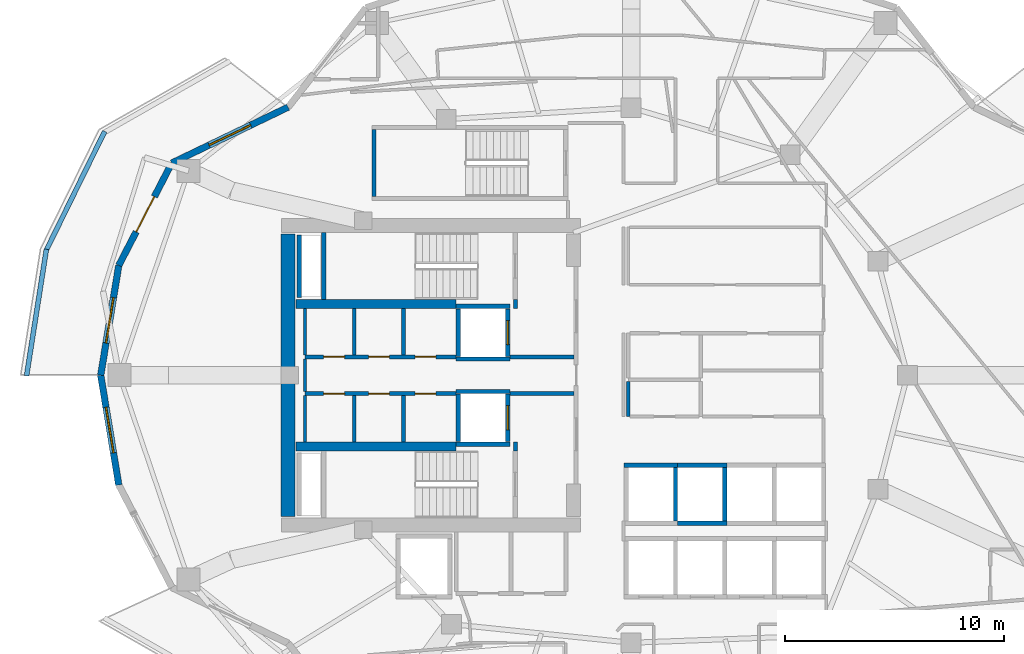
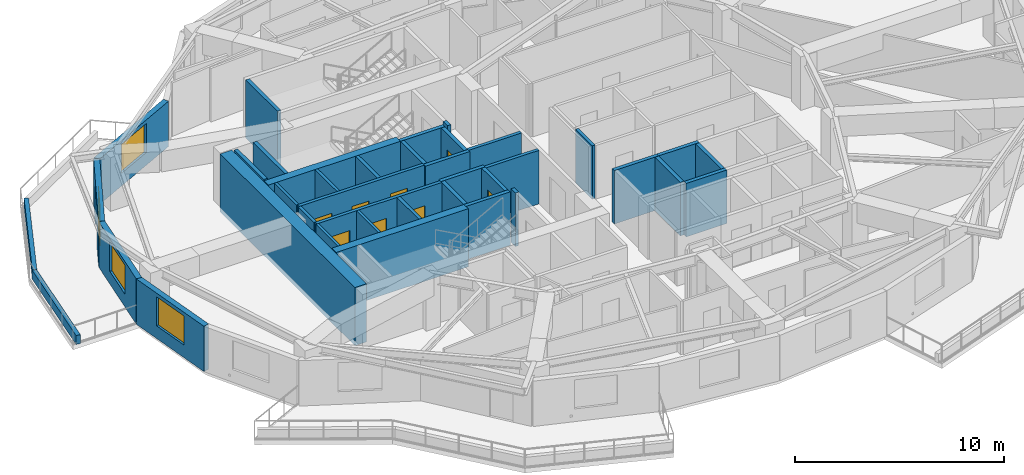
# One storey, part 4 of 12: 39 walls, 9 doors, 3 windows, 12 openings.
"""IFC4 building model written with IfcOpenShell, lengths in metres."""

from ifc_helpers import new_model, si_unit, direction, frame, frame_2d, origin, place, context, subcontext, project, spatial, rectangle, extrude, material, layer, layer_set, type_object, element, fill, save


model = new_model("IFC4")

# Units and contexts
model_context = context("Model", 3, precision=1e-05, world=origin(), true_north=direction((0.0, 1.0)))
body_context = subcontext(model_context, "Body", "Model", "MODEL_VIEW")
ifc_project = project(units=[si_unit("LENGTHUNIT", "METRE"), si_unit("AREAUNIT", "SQUARE_METRE"), si_unit("VOLUMEUNIT", "CUBIC_METRE"), si_unit("PLANEANGLEUNIT", "RADIAN"), si_unit("MASSUNIT", "GRAM", prefix="KILO")], contexts=[model_context])

# Site, building, storey
site_placement = place(None, origin())
site = spatial("IfcSite", under=ifc_project, at=site_placement, CompositionType="ELEMENT")
building_placement = place(site_placement, origin())
building = spatial("IfcBuilding", under=site, at=building_placement, Name="Kolvaren Gate Tower and Convention Centre", CompositionType="ELEMENT")
storey_placement = place(building_placement, frame((0.0, 0.0, 139.300048828125)))
storey = spatial("IfcBuildingStorey", under=building, at=storey_placement, Name="L35", CompositionType="ELEMENT", Elevation=139.300048828125)

# Walls
ifc_material_1 = material(Name="Autoclaved Aerated Masonry Blockwork Class 4 (4.0 MPa)", Category="masonry")
ifc_layer_1 = layer(ifc_material_1, 0.179931640625)
ifc_layer_set_1 = layer_set([ifc_layer_1], Name="Autoclaved Aerated Masonry Blockwork Class 4 (4.0 MPa)")
wall_type_1 = type_object("IfcWallType", Name="ARCH-WL-COMP-180", PredefinedType="SOLIDWALL", material=ifc_layer_set_1)
for number, where, z_axis, x_axis, name in (
    (1, (24.85009765625, 23.5400390625, 0.0), (0.0, 0.0, 1.0), (0.0, 1.0, 0.0), "Interior Partition WL-L35-INT-001"),
    (2, (24.85009765625, 30.0400390625, 0.0), (0.0, 0.0, 1.0), (0.0, 1.0, 0.0), "Interior Partition WL-L35-INT-002"),
):
    element("IfcWall", number, at=place(storey_placement, frame(where, z_axis=z_axis, x_axis=x_axis)), inside=storey, type_object=wall_type_1, Name=name, PredefinedType="SOLIDWALL", context=body_context, shape_type="SweptSolid", body=[
        extrude(rectangle(XDim=0.419921875, YDim=0.179931640625, at=frame_2d((0.2099609375, 0.0))), origin(), (0.0, 0.0, 1.0), 3.1298828125),
    ])

# Wall, openings, doors
wall_1_placement = place(storey_placement, frame((15.25, 27.840087890625, 0.0), z_axis=(0.0, 0.0, 1.0), x_axis=(1.0, 0.0, 0.0)))
wall_1 = element("IfcWall", 3, at=wall_1_placement, inside=storey, type_object=wall_type_1, Name="Interior Partition WL-L35-INT-004", PredefinedType="SOLIDWALL", context=body_context, shape_type="SweptSolid", body=[
    extrude(rectangle(XDim=6.89990234375, YDim=0.179931640625, at=frame_2d((3.449951171875, 0.0))), origin(), (0.0, 0.0, 1.0), 3.1298828125),
])
opening_1_placement = place(wall_1_placement, frame((5.02001953125, 0.0, 0.0)))
opening_1 = element("IfcOpeningElement", 4, at=opening_1_placement, cuts=wall_1, Name="Opening DR-01", PredefinedType="OPENING", context=body_context, shape_type="SweptSolid", body=[
    extrude(rectangle(XDim=0.949951171875, YDim=2.10009765625, at=frame_2d((0.47509765625, 1.050048828125))), frame((0.0, 0.099853515625, 0.0), z_axis=(0.0, -1.0, 0.0), x_axis=(1.0, 0.0, 0.0)), (0.0, 0.0, 1.0), 0.199951171875),
])
opening_2_placement = place(wall_1_placement, frame((0.85498046875, 0.0, 0.0)))
opening_2 = element("IfcOpeningElement", 5, at=opening_2_placement, cuts=wall_1, Name="Opening DR-01", PredefinedType="OPENING", context=body_context, shape_type="SweptSolid", body=[
    extrude(rectangle(XDim=0.949951171875, YDim=2.10009765625, at=frame_2d((0.47509765625, 1.050048828125))), frame((0.0, 0.099853515625, 0.0), z_axis=(0.0, -1.0, 0.0), x_axis=(1.0, 0.0, 0.0)), (0.0, 0.0, 1.0), 0.199951171875),
])
opening_3_placement = place(wall_1_placement, frame((2.89990234375, 0.0, 0.0)))
opening_3 = element("IfcOpeningElement", 6, at=opening_3_placement, cuts=wall_1, Name="Opening DR-01", PredefinedType="OPENING", context=body_context, shape_type="SweptSolid", body=[
    extrude(rectangle(XDim=0.949951171875, YDim=2.10009765625, at=frame_2d((0.47509765625, 1.050048828125))), frame((0.0, 0.099853515625, 0.0), z_axis=(0.0, -1.0, 0.0), x_axis=(1.0, 0.0, 0.0)), (0.0, 0.0, 1.0), 0.199951171875),
])
ifc_material_2 = material(Name="Painted Architectural Steelwork ASTM A500 Grade C 345 MPa", Category="steel")
door_type_1 = type_object("IfcDoorType", Name="ARCH-DR-RISER-950", OperationType="SINGLE_SWING_RIGHT", PredefinedType="DOOR", material=ifc_material_2)
door_1_placement = place(opening_1_placement, origin())
door_1 = element("IfcDoor", 7, at=door_1_placement, inside=storey, type_object=door_type_1, Name="Electrical Switchgear Closet Door", OperationType="SINGLE_SWING_LEFT", OverallHeight=2.10009765625, OverallWidth=0.949951171875, PredefinedType="DOOR", context=body_context, shape_type="SweptSolid", body=[
    extrude(rectangle(XDim=0.949951171875, YDim=2.10009765625, at=frame_2d((0.47509765625, 1.050048828125))), frame((0.0, 0.02490234375, 0.0), z_axis=(0.0, -1.0, 0.0), x_axis=(1.0, 0.0, 0.0)), (0.0, 0.0, 1.0), 0.050048828125),
])
fill(opening_1, door_1)
door_2_placement = place(opening_2_placement, origin())
door_2 = element("IfcDoor", 8, at=door_2_placement, inside=storey, type_object=door_type_1, Name="Staff Accessible WC Door", OperationType="SINGLE_SWING_LEFT", OverallHeight=2.10009765625, OverallWidth=0.949951171875, PredefinedType="DOOR", context=body_context, shape_type="SweptSolid", body=[
    extrude(rectangle(XDim=0.949951171875, YDim=2.10009765625, at=frame_2d((0.47509765625, 1.050048828125))), frame((0.0, 0.02490234375, 0.0), z_axis=(0.0, -1.0, 0.0), x_axis=(1.0, 0.0, 0.0)), (0.0, 0.0, 1.0), 0.050048828125),
])
fill(opening_2, door_2)
door_3_placement = place(opening_3_placement, origin())
door_3 = element("IfcDoor", 9, at=door_3_placement, inside=storey, type_object=door_type_1, Name="Housekeeping Sink Closet Door", OperationType="SINGLE_SWING_RIGHT", OverallHeight=2.10009765625, OverallWidth=0.949951171875, PredefinedType="DOOR", context=body_context, shape_type="SweptSolid", body=[
    extrude(rectangle(XDim=0.949951171875, YDim=2.10009765625, at=frame_2d((0.47509765625, 1.050048828125))), frame((0.0, 0.02490234375, 0.0), z_axis=(0.0, -1.0, 0.0), x_axis=(1.0, 0.0, 0.0)), (0.0, 0.0, 1.0), 0.050048828125),
])
fill(opening_3, door_3)

# Wall
wall_2_placement = place(storey_placement, frame((24.60009765625, 27.840087890625, 0.0), z_axis=(0.0, 0.0, 1.0), x_axis=(1.0, 0.0, 0.0)))
element("IfcWall", 10, at=wall_2_placement, inside=storey, type_object=wall_type_1, Name="Interior Partition WL-L35-INT-004 (2)", PredefinedType="SOLIDWALL", context=body_context, shape_type="SweptSolid", body=[
    extrude(rectangle(XDim=2.927978515625, YDim=0.179931640625, at=frame_2d((1.4638671875, 0.0))), origin(), (0.0, 0.0, 1.0), 3.1298828125),
])

# Wall, openings, doors
wall_3_placement = place(storey_placement, frame((15.25, 26.159912109375, 0.0), z_axis=(0.0, 0.0, 1.0), x_axis=(1.0, 0.0, 0.0)))
wall_3 = element("IfcWall", 11, at=wall_3_placement, inside=storey, type_object=wall_type_1, Name="Interior Partition WL-L35-INT-005", PredefinedType="SOLIDWALL", context=body_context, shape_type="SweptSolid", body=[
    extrude(rectangle(XDim=6.89990234375, YDim=0.179931640625, at=frame_2d((3.449951171875, 0.0))), origin(), (0.0, 0.0, 1.0), 3.1298828125),
])
opening_4_placement = place(wall_3_placement, frame((5.02001953125, 0.0, 0.0)))
opening_4 = element("IfcOpeningElement", 12, at=opening_4_placement, cuts=wall_3, Name="Opening DR-01", PredefinedType="OPENING", context=body_context, shape_type="SweptSolid", body=[
    extrude(rectangle(XDim=0.949951171875, YDim=2.10009765625, at=frame_2d((0.47509765625, 1.050048828125))), frame((0.0, 0.099853515625, 0.0), z_axis=(0.0, -1.0, 0.0), x_axis=(1.0, 0.0, 0.0)), (0.0, 0.0, 1.0), 0.199951171875),
])
opening_5_placement = place(wall_3_placement, frame((0.85498046875, 0.0, 0.0)))
opening_5 = element("IfcOpeningElement", 13, at=opening_5_placement, cuts=wall_3, Name="Opening DR-01", PredefinedType="OPENING", context=body_context, shape_type="SweptSolid", body=[
    extrude(rectangle(XDim=0.949951171875, YDim=2.10009765625, at=frame_2d((0.47509765625, 1.050048828125))), frame((0.0, 0.099853515625, 0.0), z_axis=(0.0, -1.0, 0.0), x_axis=(1.0, 0.0, 0.0)), (0.0, 0.0, 1.0), 0.199951171875),
])
opening_6_placement = place(wall_3_placement, frame((2.89990234375, 0.0, 0.0)))
opening_6 = element("IfcOpeningElement", 14, at=opening_6_placement, cuts=wall_3, Name="Opening DR-01", PredefinedType="OPENING", context=body_context, shape_type="SweptSolid", body=[
    extrude(rectangle(XDim=0.949951171875, YDim=2.10009765625, at=frame_2d((0.47509765625, 1.050048828125))), frame((0.0, 0.099853515625, 0.0), z_axis=(0.0, -1.0, 0.0), x_axis=(1.0, 0.0, 0.0)), (0.0, 0.0, 1.0), 0.199951171875),
])
door_4_placement = place(opening_4_placement, origin())
door_4 = element("IfcDoor", 15, at=door_4_placement, inside=storey, type_object=door_type_1, Name="Domestic Water Meter Closet Door", OperationType="SINGLE_SWING_RIGHT", OverallHeight=2.10009765625, OverallWidth=0.949951171875, PredefinedType="DOOR", context=body_context, shape_type="SweptSolid", body=[
    extrude(rectangle(XDim=0.949951171875, YDim=2.10009765625, at=frame_2d((0.47509765625, 1.050048828125))), frame((0.0, 0.02490234375, 0.0), z_axis=(0.0, -1.0, 0.0), x_axis=(1.0, 0.0, 0.0)), (0.0, 0.0, 1.0), 0.050048828125),
])
fill(opening_4, door_4)
door_5_placement = place(opening_5_placement, origin())
door_5 = element("IfcDoor", 16, at=door_5_placement, inside=storey, type_object=door_type_1, Name="Beverage Service Pantry Door", OperationType="SINGLE_SWING_LEFT", OverallHeight=2.10009765625, OverallWidth=0.949951171875, PredefinedType="DOOR", context=body_context, shape_type="SweptSolid", body=[
    extrude(rectangle(XDim=0.949951171875, YDim=2.10009765625, at=frame_2d((0.47509765625, 1.050048828125))), frame((0.0, 0.02490234375, 0.0), z_axis=(0.0, -1.0, 0.0), x_axis=(1.0, 0.0, 0.0)), (0.0, 0.0, 1.0), 0.050048828125),
])
fill(opening_5, door_5)
door_6_placement = place(opening_6_placement, origin())
door_6 = element("IfcDoor", 17, at=door_6_placement, inside=storey, type_object=door_type_1, Name="Archive Supply Closet Door", OperationType="SINGLE_SWING_RIGHT", OverallHeight=2.10009765625, OverallWidth=0.949951171875, PredefinedType="DOOR", context=body_context, shape_type="SweptSolid", body=[
    extrude(rectangle(XDim=0.949951171875, YDim=2.10009765625, at=frame_2d((0.47509765625, 1.050048828125))), frame((0.0, 0.02490234375, 0.0), z_axis=(0.0, -1.0, 0.0), x_axis=(1.0, 0.0, 0.0)), (0.0, 0.0, 1.0), 0.050048828125),
])
fill(opening_6, door_6)

# Walls
wall_4_placement = place(storey_placement, frame((24.60009765625, 26.159912109375, 0.0), z_axis=(0.0, 0.0, 1.0), x_axis=(1.0, 0.0, 0.0)))
element("IfcWall", 18, at=wall_4_placement, inside=storey, type_object=wall_type_1, Name="Interior Partition WL-L35-INT-005 (2)", PredefinedType="SOLIDWALL", context=body_context, shape_type="SweptSolid", body=[
    extrude(rectangle(XDim=2.927978515625, YDim=0.179931640625, at=frame_2d((1.4638671875, 0.0))), origin(), (0.0, 0.0, 1.0), 3.1298828125),
])
for number, where, z_axis, x_axis, name in (
    (19, (19.75, 23.9619140625, 0.0), (0.0, 0.0, 1.0), (0.0, 1.0, 0.0), "Interior Partition WL-L35-INT-007"),
    (20, (19.75, 27.931884765625, 0.0), (0.0, 0.0, 1.0), (0.0, 1.0, 0.0), "Interior Partition WL-L35-INT-008"),
):
    element("IfcWall", number, at=place(storey_placement, frame(where, z_axis=z_axis, x_axis=x_axis)), inside=storey, type_object=wall_type_1, Name=name, PredefinedType="SOLIDWALL", context=body_context, shape_type="SweptSolid", body=[
        extrude(rectangle(XDim=2.106201171875, YDim=0.179931640625, at=frame_2d((1.05322265625, 0.0))), origin(), (0.0, 0.0, 1.0), 3.1298828125),
    ])
ifc_material_3 = material(Name="Piedmont Cream Honed Limestone Cladding", Category="masonry")
ifc_layer_2 = layer(ifc_material_3, 0.219970703125)
ifc_layer_set_2 = layer_set([ifc_layer_2], Name="Piedmont Cream Honed Limestone Cladding")
wall_type_2 = type_object("IfcWallType", Name="ARCH-WL-PLANTER-220", PredefinedType="PARAPET", material=ifc_layer_set_2)
wall_5_placement = place(storey_placement, frame((3.44873046875, 32.68701171875, 0.0), z_axis=(0.0, 0.0, 1.0), x_axis=(0.441269631716, 0.897374566235, 0.0)))
element("IfcWall", 21, at=wall_5_placement, inside=storey, type_object=wall_type_2, Name="Vertical-Forest Balcony Stone Planter Kerb PK-L35-2.2", PredefinedType="PARAPET", context=body_context, shape_type="SweptSolid", body=[
    extrude(rectangle(XDim=6.05615234375, YDim=0.219970703125, at=frame_2d((3.028076171875, 0.0))), origin(), (0.0, 0.0, 1.0), 0.52001953125),
])
wall_6_placement = place(storey_placement, frame((2.555908203125, 26.970703125, 0.0), z_axis=(0.0, 0.0, 1.0), x_axis=(0.154903030247, 0.987929679289, 0.0)))
element("IfcWall", 22, at=wall_6_placement, inside=storey, type_object=wall_type_2, Name="Vertical-Forest Balcony Stone Planter Kerb PK-L35-2.3", PredefinedType="PARAPET", context=body_context, shape_type="SweptSolid", body=[
    extrude(rectangle(XDim=5.845703125, YDim=0.219970703125, at=frame_2d((2.9228515625, 0.0))), origin(), (0.0, 0.0, 1.0), 0.52001953125),
])
ifc_layer_3 = layer(ifc_material_1, 0.199951171875)
ifc_layer_set_3 = layer_set([ifc_layer_3], Name="Autoclaved Aerated Masonry Blockwork Class 4 (4.0 MPa)")
wall_type_3 = type_object("IfcWallType", Name="ARCH-WL-SHAFT-200", PredefinedType="SOLIDWALL", material=ifc_layer_set_3)
for number, where, z_axis, x_axis, name in (
    (23, (22.14990234375, 30.139892578125, 0.0), (0.0, 0.0, 1.0), (1.0, 0.0, 0.0), "Elevator FF-01 L35 Fire Shaft Wall N"),
    (24, (22.14990234375, 27.739990234375, 0.0), (0.0, 0.0, 1.0), (1.0, 0.0, 0.0), "Elevator FF-01 L35 Fire Shaft Wall S"),
):
    element("IfcWall", number, at=place(storey_placement, frame(where, z_axis=z_axis, x_axis=x_axis)), inside=storey, type_object=wall_type_3, Name=name, PredefinedType="SOLIDWALL", context=body_context, shape_type="SweptSolid", body=[
        extrude(rectangle(XDim=2.4501953125, YDim=0.199951171875, at=frame_2d((1.22509765625, 0.0))), origin(), (0.0, 0.0, 1.0), 3.1298828125),
    ])
wall_7_placement = place(storey_placement, frame((22.25, 27.85009765625, 0.0), z_axis=(0.0, 0.0, 1.0), x_axis=(0.0, 1.0, 0.0)))
element("IfcWall", 25, at=wall_7_placement, inside=storey, type_object=wall_type_3, Name="Elevator FF-01 L35 Fire Shaft Wall W", PredefinedType="SOLIDWALL", context=body_context, shape_type="SweptSolid", body=[
    extrude(rectangle(XDim=2.179931640625, YDim=0.199951171875, at=frame_2d((1.08984375, 0.0))), origin(), (0.0, 0.0, 1.0), 3.1298828125),
])

# Wall, opening, door
wall_8_placement = place(storey_placement, frame((24.5, 27.85009765625, 0.0), z_axis=(0.0, 0.0, 1.0), x_axis=(0.0, 1.0, 0.0)))
wall_8 = element("IfcWall", 26, at=wall_8_placement, inside=storey, type_object=wall_type_3, Name="Elevator FF-01 L35 Fire Shaft Wall E", PredefinedType="SOLIDWALL", context=body_context, shape_type="SweptSolid", body=[
    extrude(rectangle(XDim=2.179931640625, YDim=0.199951171875, at=frame_2d((1.08984375, 0.0))), origin(), (0.0, 0.0, 1.0), 3.1298828125),
])
opening_7_placement = place(wall_8_placement, frame((0.5400390625, 0.0, 0.0)))
opening_7 = element("IfcOpeningElement", 27, at=opening_7_placement, cuts=wall_8, Name="Opening LD", PredefinedType="OPENING", context=body_context, shape_type="SweptSolid", body=[
    extrude(rectangle(XDim=1.10009765625, YDim=2.199951171875, at=frame_2d((0.550048828125, 1.10009765625))), frame((0.0, 0.10986328125, 0.0), z_axis=(0.0, -1.0, 0.0), x_axis=(1.0, 0.0, 0.0)), (0.0, 0.0, 1.0), 0.219970703125),
])
ifc_material_4 = material(Name="Brushed Stainless Steel Grade 316L", Category="steel")
door_type_2 = type_object("IfcDoorType", Name="ARCH-DR-LIFT-1100", OperationType="SLIDING_TO_LEFT", PredefinedType="DOOR", material=ifc_material_4)
door_7_placement = place(opening_7_placement, origin())
door_7 = element("IfcDoor", 28, at=door_7_placement, inside=storey, type_object=door_type_2, Name="Elevator FF-01 L35 Sliding Landing Door", OperationType="SLIDING_TO_LEFT", OverallHeight=2.199951171875, OverallWidth=1.10009765625, PredefinedType="DOOR", context=body_context, shape_type="SweptSolid", body=[
    extrude(rectangle(XDim=1.10009765625, YDim=2.199951171875, at=frame_2d((0.550048828125, 1.10009765625))), frame((0.0, 0.02490234375, 0.0), z_axis=(0.0, -1.0, 0.0), x_axis=(1.0, 0.0, 0.0)), (0.0, 0.0, 1.0), 0.050048828125),
])
fill(opening_7, door_7)

# Walls
for number, where, z_axis, x_axis, name in (
    (29, (22.14990234375, 26.260009765625, 0.0), (0.0, 0.0, 1.0), (1.0, 0.0, 0.0), "Elevator FF-02 L35 Fire Shaft Wall N"),
    (30, (22.14990234375, 23.860107421875, 0.0), (0.0, 0.0, 1.0), (1.0, 0.0, 0.0), "Elevator FF-02 L35 Fire Shaft Wall S"),
):
    element("IfcWall", number, at=place(storey_placement, frame(where, z_axis=z_axis, x_axis=x_axis)), inside=storey, type_object=wall_type_3, Name=name, PredefinedType="SOLIDWALL", context=body_context, shape_type="SweptSolid", body=[
        extrude(rectangle(XDim=2.4501953125, YDim=0.199951171875, at=frame_2d((1.22509765625, 0.0))), origin(), (0.0, 0.0, 1.0), 3.1298828125),
    ])
wall_9_placement = place(storey_placement, frame((22.25, 23.969970703125, 0.0), z_axis=(0.0, 0.0, 1.0), x_axis=(0.0, 1.0, 0.0)))
element("IfcWall", 31, at=wall_9_placement, inside=storey, type_object=wall_type_3, Name="Elevator FF-02 L35 Fire Shaft Wall W", PredefinedType="SOLIDWALL", context=body_context, shape_type="SweptSolid", body=[
    extrude(rectangle(XDim=2.179931640625, YDim=0.199951171875, at=frame_2d((1.08984375, 0.0))), origin(), (0.0, 0.0, 1.0), 3.1298828125),
])

# Wall, opening, door
wall_10_placement = place(storey_placement, frame((24.5, 23.969970703125, 0.0), z_axis=(0.0, 0.0, 1.0), x_axis=(0.0, 1.0, 0.0)))
wall_10 = element("IfcWall", 32, at=wall_10_placement, inside=storey, type_object=wall_type_3, Name="Elevator FF-02 L35 Fire Shaft Wall E", PredefinedType="SOLIDWALL", context=body_context, shape_type="SweptSolid", body=[
    extrude(rectangle(XDim=2.179931640625, YDim=0.199951171875, at=frame_2d((1.08984375, 0.0))), origin(), (0.0, 0.0, 1.0), 3.1298828125),
])
opening_8_placement = place(wall_10_placement, frame((0.5400390625, 0.0, 0.0)))
opening_8 = element("IfcOpeningElement", 33, at=opening_8_placement, cuts=wall_10, Name="Opening LD", PredefinedType="OPENING", context=body_context, shape_type="SweptSolid", body=[
    extrude(rectangle(XDim=1.10009765625, YDim=2.199951171875, at=frame_2d((0.550048828125, 1.10009765625))), frame((0.0, 0.10986328125, 0.0), z_axis=(0.0, -1.0, 0.0), x_axis=(1.0, 0.0, 0.0)), (0.0, 0.0, 1.0), 0.219970703125),
])
door_8_placement = place(opening_8_placement, origin())
door_8 = element("IfcDoor", 34, at=door_8_placement, inside=storey, type_object=door_type_2, Name="Elevator FF-02 L35 Sliding Landing Door", OperationType="SLIDING_TO_LEFT", OverallHeight=2.199951171875, OverallWidth=1.10009765625, PredefinedType="DOOR", context=body_context, shape_type="SweptSolid", body=[
    extrude(rectangle(XDim=1.10009765625, YDim=2.199951171875, at=frame_2d((0.550048828125, 1.10009765625))), frame((0.0, 0.02490234375, 0.0), z_axis=(0.0, -1.0, 0.0), x_axis=(1.0, 0.0, 0.0)), (0.0, 0.0, 1.0), 0.050048828125),
])
fill(opening_8, door_8)

# Walls
wall_11_placement = place(storey_placement, frame((29.800048828125, 22.89990234375, 0.0), z_axis=(0.0, 0.0, 1.0), x_axis=(1.0, 0.0, 0.0)))
element("IfcWall", 35, at=wall_11_placement, inside=storey, type_object=wall_type_3, Name="Elevator PL-09 L35 Fire Shaft Wall N", PredefinedType="SOLIDWALL", context=body_context, shape_type="SweptSolid", body=[
    extrude(rectangle(XDim=2.449951171875, YDim=0.199951171875, at=frame_2d((1.22509765625, 0.0))), origin(), (0.0, 0.0, 1.0), 3.1298828125),
])
wall_12_placement = place(storey_placement, frame((32.14990234375, 20.360107421875, 0.0), z_axis=(0.0, 0.0, 1.0), x_axis=(0.0, 1.0, 0.0)))
element("IfcWall", 36, at=wall_12_placement, inside=storey, type_object=wall_type_3, Name="Elevator PL-09 L35 Fire Shaft Wall E", PredefinedType="SOLIDWALL", context=body_context, shape_type="SweptSolid", body=[
    extrude(rectangle(XDim=2.429931640625, YDim=0.199951171875, at=frame_2d((1.21484375, 0.0))), origin(), (0.0, 0.0, 1.0), 3.1298828125),
])
for number, where, z_axis, x_axis, name in (
    (37, (32.25, 22.89990234375, 0.0), (0.0, 0.0, 1.0), (1.0, 0.0, 0.0), "Elevator PL-10 L35 Fire Shaft Wall N"),
    (38, (32.25, 20.25, 0.0), (0.0, 0.0, 1.0), (1.0, 0.0, 0.0), "Elevator PL-10 L35 Fire Shaft Wall S"),
):
    element("IfcWall", number, at=place(storey_placement, frame(where, z_axis=z_axis, x_axis=x_axis)), inside=storey, type_object=wall_type_3, Name=name, PredefinedType="SOLIDWALL", context=body_context, shape_type="SweptSolid", body=[
        extrude(rectangle(XDim=2.25, YDim=0.199951171875, at=frame_2d((1.125, 0.0))), origin(), (0.0, 0.0, 1.0), 3.1298828125),
    ])
wall_13_placement = place(storey_placement, frame((34.39990234375, 20.360107421875, 0.0), z_axis=(0.0, 0.0, 1.0), x_axis=(0.0, 1.0, 0.0)))
element("IfcWall", 39, at=wall_13_placement, inside=storey, type_object=wall_type_3, Name="Elevator PL-10 L35 Fire Shaft Wall E", PredefinedType="SOLIDWALL", context=body_context, shape_type="SweptSolid", body=[
    extrude(rectangle(XDim=2.429931640625, YDim=0.199951171875, at=frame_2d((1.21484375, 0.0))), origin(), (0.0, 0.0, 1.0), 3.1298828125),
])
wall_14_placement = place(storey_placement, frame((14.989990234375, 30.550048828125, 0.0), z_axis=(0.0, 0.0, 1.0), x_axis=(0.0, 1.0, 0.0)))
element("IfcWall", 40, at=wall_14_placement, inside=storey, type_object=wall_type_3, Name="Vertical Shaft HVR L35 EI-120 Enclosure Wall W", PredefinedType="SOLIDWALL", context=body_context, shape_type="SweptSolid", body=[
    extrude(rectangle(XDim=2.849853515625, YDim=0.199951171875, at=frame_2d((1.4248046875, 0.0))), origin(), (0.0, 0.0, 1.0), 3.1298828125),
])

# Wall, opening, window
ifc_layer_4 = layer(ifc_material_3, 0.300048828125)
ifc_layer_set_4 = layer_set([ifc_layer_4], Name="Piedmont Cream Honed Limestone Cladding")
wall_type_4 = type_object("IfcWallType", Name="ARCH-WL-STONE-300", PredefinedType="SOLIDWALL", material=ifc_layer_set_4)
wall_15_placement = place(storey_placement, frame((9.177978515625, 36.675048828125, 0.0), z_axis=(0.0, 0.0, 1.0), x_axis=(0.901370184739, 0.433049408339, 0.0)))
wall_15 = element("IfcWall", 41, at=wall_15_placement, inside=storey, type_object=wall_type_4, Name="Tower L35 Honed Stone Spandrel Wall EW-09", PredefinedType="SOLIDWALL", context=body_context, shape_type="SweptSolid", body=[
    extrude(rectangle(XDim=5.883544921875, YDim=0.300048828125, at=frame_2d((2.94189453125, 0.0))), origin(), (0.0, 0.0, 1.0), 2.65283203125),
])
opening_9_placement = place(wall_15_placement, frame((1.89208984375, 0.0, 0.739990234375)))
opening_9 = element("IfcOpeningElement", 42, at=opening_9_placement, cuts=wall_15, Name="Opening W-02", PredefinedType="OPENING", context=body_context, shape_type="SweptSolid", body=[
    extrude(rectangle(XDim=2.10009765625, YDim=1.699951171875, at=frame_2d((1.050048828125, 0.85009765625))), frame((0.0, 0.159912109375, 0.0), z_axis=(0.0, -1.0, 0.0), x_axis=(1.0, 0.0, 0.0)), (0.0, 0.0, 1.0), 0.320068359375),
])
ifc_material_5 = material(Name="Low-E Triple Insulated Glazing Unit 44 mm", Category="glass")
window_type = type_object("IfcWindowType", Name="ARCH-WN-HTL-2100", PartitioningType="SINGLE_PANEL", PredefinedType="WINDOW", material=ifc_material_5)
window_1_placement = place(opening_9_placement, origin())
window_1 = element("IfcWindow", 43, at=window_1_placement, inside=storey, type_object=window_type, Name="Tower L35 Punched Stone Facade Window W-09", OverallHeight=1.699951171875, OverallWidth=2.10009765625, PartitioningType="SINGLE_PANEL", PredefinedType="WINDOW", context=body_context, shape_type="SweptSolid", body=[
    extrude(rectangle(XDim=2.10009765625, YDim=1.699951171875, at=frame_2d((1.050048828125, 0.85009765625))), frame((0.0, 0.030029296875, 0.0), z_axis=(0.0, -1.0, 0.0), x_axis=(1.0, 0.0, 0.0)), (0.0, 0.0, 1.0), 0.06005859375),
])
fill(opening_9, window_1)

# Wall, opening, door
wall_16_placement = place(storey_placement, frame((6.76171875, 32.008056640625, 0.0), z_axis=(0.0, 0.0, 1.0), x_axis=(0.459767899643, 0.888039119892, 0.0)))
wall_16 = element("IfcWall", 44, at=wall_16_placement, inside=storey, type_object=wall_type_4, Name="Tower L35 Honed Stone Spandrel Wall EW-10", PredefinedType="SOLIDWALL", context=body_context, shape_type="SweptSolid", body=[
    extrude(rectangle(XDim=5.25537109375, YDim=0.300048828125, at=frame_2d((2.627685546875, 0.0))), origin(), (0.0, 0.0, 1.0), 2.65283203125),
])
opening_10_placement = place(wall_16_placement, frame((1.72802734375, 0.0, 0.0)))
opening_10 = element("IfcOpeningElement", 45, at=opening_10_placement, cuts=wall_16, Name="Opening DB-01", PredefinedType="OPENING", context=body_context, shape_type="SweptSolid", body=[
    extrude(rectangle(XDim=1.800048828125, YDim=2.25, at=frame_2d((0.89990234375, 1.125))), frame((0.0, 0.159912109375, 0.0), z_axis=(0.0, -1.0, 0.0), x_axis=(1.0, 0.0, 0.0)), (0.0, 0.0, 1.0), 0.320068359375),
])
ifc_material_6 = material(Name="Anodized Architectural Aluminium Alloy 6063-T6", Category="aluminium")
door_type_3 = type_object("IfcDoorType", Name="ARCH-DR-BALC-1800", OperationType="SLIDING_TO_LEFT", PredefinedType="DOOR", material=ifc_material_6)
door_9_placement = place(opening_10_placement, origin())
door_9 = element("IfcDoor", 46, at=door_9_placement, inside=storey, type_object=door_type_3, Name="Planted Sky Terrace Access Door DB-L35-10", OperationType="SLIDING_TO_LEFT", OverallHeight=2.25, OverallWidth=1.800048828125, PredefinedType="DOOR", context=body_context, shape_type="SweptSolid", body=[
    extrude(rectangle(XDim=1.800048828125, YDim=2.25, at=frame_2d((0.89990234375, 1.125))), frame((0.0, 0.02490234375, 0.0), z_axis=(0.0, -1.0, 0.0), x_axis=(1.0, 0.0, 0.0)), (0.0, 0.0, 1.0), 0.050048828125),
])
fill(opening_10, door_9)

# Wall, opening, window
wall_17_placement = place(storey_placement, frame((5.9375, 27.0, 0.0), z_axis=(0.0, 0.0, 1.0), x_axis=(0.162393944769, 0.986726003864, 0.0)))
wall_17 = element("IfcWall", 47, at=wall_17_placement, inside=storey, type_object=wall_type_4, Name="Tower L35 Honed Stone Spandrel Wall EW-11", PredefinedType="SOLIDWALL", context=body_context, shape_type="SweptSolid", body=[
    extrude(rectangle(XDim=5.075439453125, YDim=0.300048828125, at=frame_2d((2.53759765625, 0.0))), origin(), (0.0, 0.0, 1.0), 2.65283203125),
])
opening_11_placement = place(wall_17_placement, frame((1.488037109375, 0.0, 0.739990234375)))
opening_11 = element("IfcOpeningElement", 48, at=opening_11_placement, cuts=wall_17, Name="Opening W-02", PredefinedType="OPENING", context=body_context, shape_type="SweptSolid", body=[
    extrude(rectangle(XDim=2.10009765625, YDim=1.699951171875, at=frame_2d((1.050048828125, 0.85009765625))), frame((0.0, 0.159912109375, 0.0), z_axis=(0.0, -1.0, 0.0), x_axis=(1.0, 0.0, 0.0)), (0.0, 0.0, 1.0), 0.320068359375),
])
window_2_placement = place(opening_11_placement, origin())
window_2 = element("IfcWindow", 49, at=window_2_placement, inside=storey, type_object=window_type, Name="Tower L35 Punched Stone Facade Window W-11", OverallHeight=1.699951171875, OverallWidth=2.10009765625, PartitioningType="SINGLE_PANEL", PredefinedType="WINDOW", context=body_context, shape_type="SweptSolid", body=[
    extrude(rectangle(XDim=2.10009765625, YDim=1.699951171875, at=frame_2d((1.050048828125, 0.85009765625))), frame((0.0, 0.030029296875, 0.0), z_axis=(0.0, -1.0, 0.0), x_axis=(1.0, 0.0, 0.0)), (0.0, 0.0, 1.0), 0.06005859375),
])
fill(opening_11, window_2)

wall_18_placement = place(storey_placement, frame((5.9375, 27.0, 0.0), z_axis=(0.0, 0.0, 1.0), x_axis=(0.162393944769, -0.986726003864, 0.0)))
wall_18 = element("IfcWall", 50, at=wall_18_placement, inside=storey, type_object=wall_type_4, Name="Tower L35 Honed Stone Spandrel Wall EW-12", PredefinedType="SOLIDWALL", context=body_context, shape_type="SweptSolid", body=[
    extrude(rectangle(XDim=5.075439453125, YDim=0.300048828125, at=frame_2d((2.53759765625, 0.0))), origin(), (0.0, 0.0, 1.0), 2.65283203125),
])
opening_12_placement = place(wall_18_placement, frame((1.488037109375, 0.0, 0.739990234375)))
opening_12 = element("IfcOpeningElement", 51, at=opening_12_placement, cuts=wall_18, Name="Opening W-02", PredefinedType="OPENING", context=body_context, shape_type="SweptSolid", body=[
    extrude(rectangle(XDim=2.10009765625, YDim=1.699951171875, at=frame_2d((1.050048828125, 0.85009765625))), frame((0.0, 0.159912109375, 0.0), z_axis=(0.0, -1.0, 0.0), x_axis=(1.0, 0.0, 0.0)), (0.0, 0.0, 1.0), 0.320068359375),
])
window_3_placement = place(opening_12_placement, origin())
window_3 = element("IfcWindow", 52, at=window_3_placement, inside=storey, type_object=window_type, Name="Tower L35 Punched Stone Facade Window W-12", OverallHeight=1.699951171875, OverallWidth=2.10009765625, PartitioningType="SINGLE_PANEL", PredefinedType="WINDOW", context=body_context, shape_type="SweptSolid", body=[
    extrude(rectangle(XDim=2.10009765625, YDim=1.699951171875, at=frame_2d((1.050048828125, 0.85009765625))), frame((0.0, 0.030029296875, 0.0), z_axis=(0.0, -1.0, 0.0), x_axis=(1.0, 0.0, 0.0)), (0.0, 0.0, 1.0), 0.06005859375),
])
fill(opening_12, window_3)

# Walls
ifc_material_7 = material(Name="Moisture-Resistant Cement-Board Acoustic Partition", Category="gypsum")
ifc_layer_5 = layer(ifc_material_7, 0.14990234375)
ifc_layer_set_5 = layer_set([ifc_layer_5], Name="Moisture-Resistant Cement-Board Acoustic Partition")
wall_type_5 = type_object("IfcWallType", Name="ARCH-WL-WET-150", PredefinedType="PARTITIONING", material=ifc_layer_set_5)
wall_19_placement = place(storey_placement, frame((15.25, 23.9619140625, 0.0), z_axis=(0.0, 0.0, 1.0), x_axis=(0.0, 1.0, 0.0)))
element("IfcWall", 53, at=wall_19_placement, inside=storey, type_object=wall_type_5, Name="Interior Partition WL-L35-INT-006", PredefinedType="PARTITIONING", context=body_context, shape_type="SweptSolid", body=[
    extrude(rectangle(XDim=2.106201171875, YDim=0.14990234375, at=frame_2d((1.05322265625, 0.0))), origin(), (0.0, 0.0, 1.0), 3.1298828125),
])
wall_20_placement = place(storey_placement, frame((15.25, 26.251953125, 0.0), z_axis=(0.0, 0.0, 1.0), x_axis=(0.0, 1.0, 0.0)))
element("IfcWall", 54, at=wall_20_placement, inside=storey, type_object=wall_type_5, Name="Interior Partition WL-L35-INT-006 (2)", PredefinedType="PARTITIONING", context=body_context, shape_type="SweptSolid", body=[
    extrude(rectangle(XDim=1.49609375, YDim=0.14990234375, at=frame_2d((0.748046875, 0.0))), origin(), (0.0, 0.0, 1.0), 3.1298828125),
])
for number, where, z_axis, x_axis, name in (
    (55, (15.25, 27.931884765625, 0.0), (0.0, 0.0, 1.0), (0.0, 1.0, 0.0), "Interior Partition WL-L35-INT-006 (3)"),
    (56, (17.5, 23.9619140625, 0.0), (0.0, 0.0, 1.0), (0.0, 1.0, 0.0), "Interior Partition WL-L35-INT-009"),
    (57, (17.5, 27.931884765625, 0.0), (0.0, 0.0, 1.0), (0.0, 1.0, 0.0), "Interior Partition WL-L35-INT-010"),
):
    element("IfcWall", number, at=place(storey_placement, frame(where, z_axis=z_axis, x_axis=x_axis)), inside=storey, type_object=wall_type_5, Name=name, PredefinedType="PARTITIONING", context=body_context, shape_type="SweptSolid", body=[
        extrude(rectangle(XDim=2.106201171875, YDim=0.14990234375, at=frame_2d((1.05322265625, 0.0))), origin(), (0.0, 0.0, 1.0), 3.1298828125),
    ])
wall_21_placement = place(storey_placement, frame((30.0, 25.1201171875, 0.0), z_axis=(0.0, 0.0, 1.0), x_axis=(0.0, 1.0, 0.0)))
element("IfcWall", 58, at=wall_21_placement, inside=storey, type_object=wall_type_5, Name="Interior Partition WL-L35-INT-017", PredefinedType="PARTITIONING", context=body_context, shape_type="SweptSolid", body=[
    extrude(rectangle(XDim=1.602783203125, YDim=0.14990234375, at=frame_2d((0.80126953125, 0.0))), origin(), (0.0, 0.0, 1.0), 3.1298828125),
])
ifc_material_8 = material(Name="Concrete C50/60", Category="concrete")
ifc_layer_6 = layer(ifc_material_8, 0.419921875)
ifc_layer_set_6 = layer_set([ifc_layer_6], Name="Concrete C50/60")
wall_type_6 = type_object("IfcWallType", Name="STR-WL-CONV-420", PredefinedType="SHEAR", material=ifc_layer_set_6)
for number, where, z_axis, x_axis, name in (
    (59, (14.85009765625, 30.25, -0.27001953125), (0.0, 0.0, 1.0), (1.0, 0.0, 0.0), "Tower L35 Offset Core Shear Wall WN"),
    (60, (14.85009765625, 23.75, -0.27001953125), (0.0, 0.0, 1.0), (1.0, 0.0, 0.0), "Tower L35 Offset Core Shear Wall WS"),
):
    element("IfcWall", number, at=place(storey_placement, frame(where, z_axis=z_axis, x_axis=x_axis)), inside=storey, type_object=wall_type_6, Name=name, PredefinedType="SHEAR", context=body_context, shape_type="SweptSolid", body=[
        extrude(rectangle(XDim=7.2998046875, YDim=0.419921875, at=frame_2d((3.64990234375, 0.0))), origin(), (0.0, 0.0, 1.0), 3.39990234375),
    ])
ifc_material_9 = material(Name="Concrete C60/75", Category="concrete")
ifc_layer_7 = layer(ifc_material_9, 0.64990234375)
ifc_layer_set_7 = layer_set([ifc_layer_7], Name="Concrete C60/75")
wall_type_7 = type_object("IfcWallType", Name="STR-WL-CORE-650", PredefinedType="SHEAR", material=ifc_layer_set_7)
wall_22_placement = place(storey_placement, frame((14.47509765625, 20.550048828125, -0.27001953125), z_axis=(0.0, 0.0, 1.0), x_axis=(0.0, 1.0, 0.0)))
element("IfcWall", 61, at=wall_22_placement, inside=storey, type_object=wall_type_7, Name="Tower L35 Offset Core Shear Wall W", PredefinedType="SHEAR", context=body_context, shape_type="SweptSolid", body=[
    extrude(rectangle(XDim=12.89990234375, YDim=0.64990234375, at=frame_2d((6.449951171875, 0.0))), origin(), (0.0, 0.0, 1.0), 3.39990234375),
])
ifc_layer_8 = layer(ifc_material_8, 0.199951171875)
ifc_layer_set_8 = layer_set([ifc_layer_8], Name="Concrete C50/60")
wall_type_8 = type_object("IfcWallType", Name="STR-WL-SHAFT-200", PredefinedType="SHEAR", material=ifc_layer_set_8)
wall_23_placement = place(storey_placement, frame((16.10009765625, 30.4619140625, -0.27001953125), z_axis=(0.0, 0.0, 1.0), x_axis=(0.0, 1.0, 0.0)))
element("IfcWall", 62, at=wall_23_placement, inside=storey, type_object=wall_type_8, Name="Tower North Exit Stair ST-T1 L35 Structural Shear Enclosure Wall FAR", PredefinedType="SHEAR", context=body_context, shape_type="SweptSolid", body=[
    extrude(rectangle(XDim=3.0361328125, YDim=0.199951171875, at=frame_2d((1.51806640625, 0.0))), origin(), (0.0, 0.0, 1.0), 3.39990234375),
])
wall_24_placement = place(storey_placement, frame((18.39990234375, 35.159912109375, -0.27001953125), z_axis=(0.0, 0.0, 1.0), x_axis=(0.0, 1.0, 0.0)))
element("IfcWall", 63, at=wall_24_placement, inside=storey, type_object=wall_type_8, Name="Tower Mid-Zone Exit Stair ST-T3 L35 Structural Shear Enclosure Wall FAR", PredefinedType="SHEAR", context=body_context, shape_type="SweptSolid", body=[
    extrude(rectangle(XDim=3.0400390625, YDim=0.199951171875, at=frame_2d((1.52001953125, 0.0))), origin(), (0.0, 0.0, 1.0), 3.39990234375),
])

save(model, "model.ifc")
